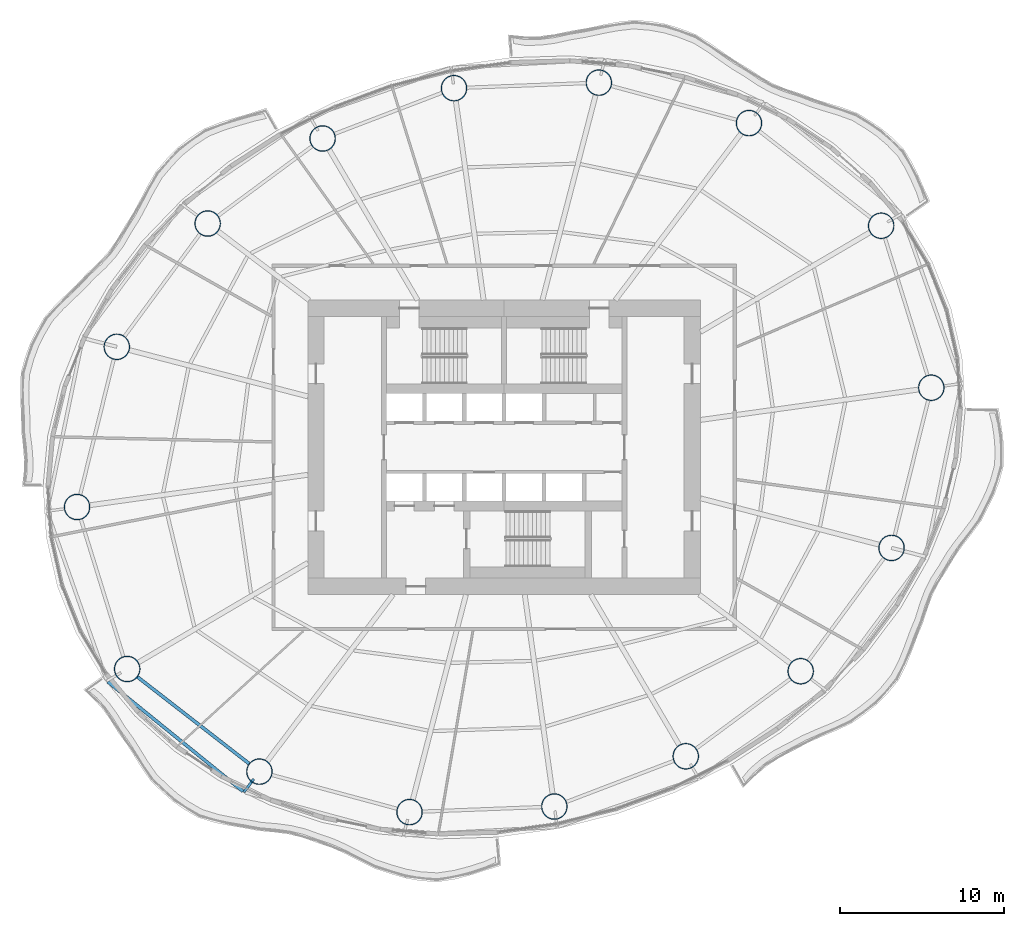
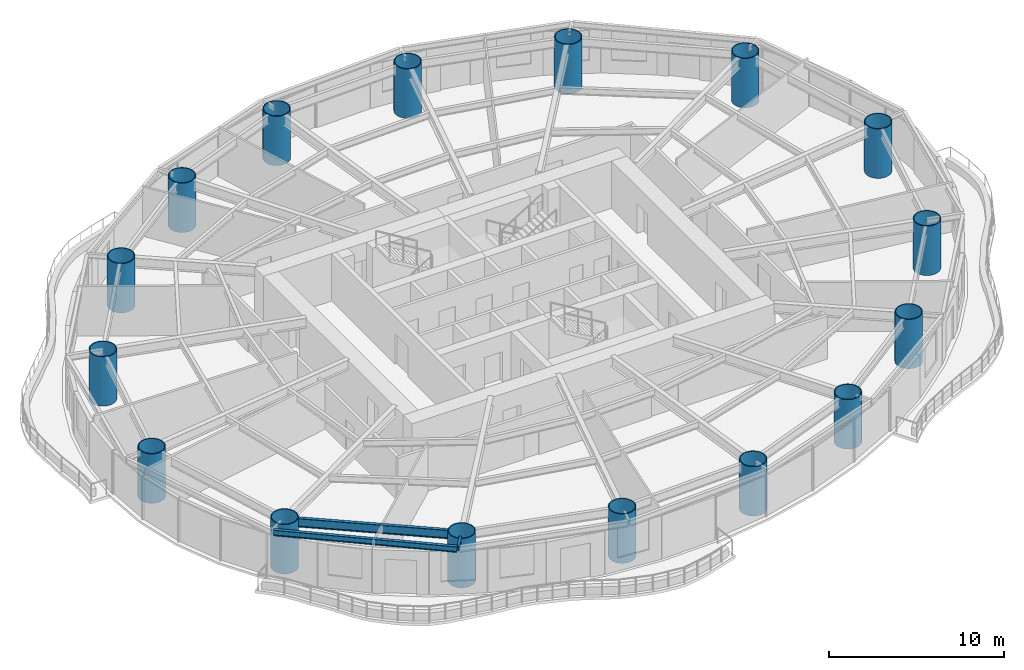
# One storey, part 1 of 16: 16 columns, 3 beams.
"""IFC4 building model written with IfcOpenShell, lengths in metres."""

from ifc_helpers import new_model, si_unit, direction, frame, origin, origin_2d, place, context, subcontext, project, spatial, hollow_circle, i_section, extrude, material, material_profile, profile_set, type_object, element, save


model = new_model("IFC4")

# Units and contexts
model_context = context("Model", 3, precision=1e-05, world=origin(), true_north=direction((0.0, 1.0)))
body_context = subcontext(model_context, "Body", "Model", "MODEL_VIEW")
ifc_project = project(units=[si_unit("LENGTHUNIT", "METRE"), si_unit("AREAUNIT", "SQUARE_METRE"), si_unit("VOLUMEUNIT", "CUBIC_METRE"), si_unit("PLANEANGLEUNIT", "RADIAN"), si_unit("MASSUNIT", "GRAM", prefix="KILO")], contexts=[model_context])

# Site, building, storey
site_placement = place(None, origin())
site = spatial("IfcSite", under=ifc_project, at=site_placement, CompositionType="ELEMENT")
building_placement = place(site_placement, origin())
building = spatial("IfcBuilding", under=site, at=building_placement, Name="Vermilion Reach Broadcast Tower", CompositionType="ELEMENT")
storey_placement = place(building_placement, frame((0.0, 0.0, 103.0)))
storey = spatial("IfcBuildingStorey", under=building, at=storey_placement, Name="L23", CompositionType="ELEMENT", Elevation=103.0)

# Columns
ifc_material_1 = material(Name="Concrete C80 infill in steel S460NL tube", Category="concrete")
ifc_material_profile_1 = material_profile(ifc_material_1, hollow_circle(Radius=0.800048828125, WallThickness=0.054931640625, at=origin_2d()), Name="Concrete C80 infill in steel S460NL tube CFT 1600x55")
ifc_profile_set_1 = profile_set([ifc_material_profile_1], Name="Concrete C80 infill in steel S460NL tube")
column_type = type_object("IfcColumnType", Name="MC2 CFT 1600x55", PredefinedType="COLUMN", material=ifc_profile_set_1)
for number, where, z_axis, x_axis, name in (
    (1, (17.04345703125, 13.546630859375, 0.0), (0.0, 0.0, 1.0), (1.0, 0.0, 0.0), "Mega-column MC2-01"),
    (2, (8.96337890625, 19.821044921875, 0.0), (0.0, 0.0, 1.0), (1.0, 0.0, 0.0), "Mega-column MC2-02"),
    (3, (-0.21337890625, 22.29443359375, 0.0), (0.0, 0.0, 1.0), (1.0, 0.0, 0.0), "Mega-column MC2-03"),
    (4, (-9.066162109375, 21.955810546875, 0.0), (0.0, 0.0, 1.0), (1.0, 0.0, 0.0), "Mega-column MC2-04"),
    (5, (-17.099609375, 18.881103515625, 0.0), (0.0, 0.0, 1.0), (1.0, 0.0, 0.0), "Mega-column MC2-05"),
    (6, (-24.12451171875, 13.6826171875, 0.0), (0.0, 0.0, 1.0), (1.0, 0.0, 0.0), "Mega-column MC2-06"),
    (7, (-29.6787109375, 6.145751953125, 0.0), (0.0, 0.0, 1.0), (1.0, 0.0, 0.0), "Mega-column MC2-07"),
    (8, (-32.10888671875, -3.646240234375, 0.0), (0.0, 0.0, 1.0), (1.0, 0.0, 0.0), "Mega-column MC2-08"),
    (9, (-29.04345703125, -13.546630859375, 0.0), (0.0, 0.0, 1.0), (1.0, 0.0, 0.0), "Mega-column MC2-09"),
    (10, (-20.96337890625, -19.821044921875, 0.0), (0.0, 0.0, 1.0), (1.0, 0.0, 0.0), "Mega-column MC2-10"),
    (11, (-11.78662109375, -22.29443359375, 0.0), (0.0, 0.0, 1.0), (1.0, 0.0, 0.0), "Mega-column MC2-11"),
    (12, (-2.933837890625, -21.955810546875, 0.0), (0.0, 0.0, 1.0), (1.0, 0.0, 0.0), "Mega-column MC2-12"),
    (13, (5.099609375, -18.881103515625, 0.0), (0.0, 0.0, 1.0), (1.0, 0.0, 0.0), "Mega-column MC2-13"),
    (14, (12.12451171875, -13.6826171875, 0.0), (0.0, 0.0, 1.0), (1.0, 0.0, 0.0), "Mega-column MC2-14"),
    (15, (17.6787109375, -6.145751953125, 0.0), (0.0, 0.0, 1.0), (1.0, 0.0, 0.0), "Mega-column MC2-15"),
    (16, (20.10888671875, 3.646240234375, 0.0), (0.0, 0.0, 1.0), (1.0, 0.0, 0.0), "Mega-column MC2-16"),
):
    element("IfcColumn", number, at=place(storey_placement, frame(where, z_axis=z_axis, x_axis=x_axis)), inside=storey, type_object=column_type, Name=name, PredefinedType="COLUMN", context=body_context, shape_type="SweptSolid", body=[
        extrude(hollow_circle(Radius=0.800048828125, WallThickness=0.054931640625, at=origin_2d()), origin(), (0.0, 0.0, 1.0), 3.449951171875),
    ])

# Beams
ifc_material_2 = material(Name="Steel S355J2", Category="steel")
ifc_material_profile_2 = material_profile(ifc_material_2, i_section(OverallWidth=0.199951171875, OverallDepth=0.39990234375, WebThickness=0.008056640625, FlangeThickness=0.012939453125, at=origin_2d()), Name="S355J2 HN 400x200x8x13")
ifc_profile_set_2 = profile_set([ifc_material_profile_2], Name="Steel S355J2")
beam_type_1 = type_object("IfcBeamType", Name="EB2 HN 400x200x8x13", PredefinedType="BEAM", material=ifc_profile_set_2)
beam_1_placement = place(storey_placement, frame((-30.224853515625, -14.328125, 3.25), z_axis=(0.776693812818, -0.629878338356, 0.0), x_axis=(0.629878338356, 0.776693812818, 0.0)))
element("IfcBeam", 17, at=beam_1_placement, inside=storey, type_object=beam_type_1, Name="Edge beam EB2-09", PredefinedType="BEAM", context=body_context, shape_type="SweptSolid", body=[
    extrude(i_section(OverallWidth=0.199951171875, OverallDepth=0.39990234375, WebThickness=0.008056640625, FlangeThickness=0.012939453125, at=origin_2d()), origin(), (0.0, 0.0, 1.0), 10.632568359375),
])
ifc_material_3 = material(Name="Steel S355J2", Category="steel")
ifc_material_profile_3 = material_profile(ifc_material_3, i_section(OverallWidth=0.14990234375, OverallDepth=0.300048828125, WebThickness=0.006591796875, FlangeThickness=0.009033203125, at=origin_2d()), Name="S355J2 HN 300x150x6.5x9")
ifc_profile_set_3 = profile_set([ifc_material_profile_3], Name="Steel S355J2")
beam_type_2 = type_object("IfcBeamType", Name="GS2 HN 300x150x6.5x9", PredefinedType="BEAM", material=ifc_profile_set_3)
beam_2_placement = place(storey_placement, frame((-21.305908203125, -20.274658203125, 3.300048828125), z_axis=(-0.602536027779, -0.798091683473, 0.0), x_axis=(0.798091683473, -0.602536027779, 0.0)))
element("IfcBeam", 18, at=beam_2_placement, inside=storey, type_object=beam_type_2, Name="Cantilever stub GS2-10", PredefinedType="BEAM", context=body_context, shape_type="SweptSolid", body=[
    extrude(i_section(OverallWidth=0.14990234375, OverallDepth=0.300048828125, WebThickness=0.006591796875, FlangeThickness=0.009033203125, at=origin_2d()), origin(), (0.0, 0.0, 1.0), 1.0),
])
ifc_material_4 = material(Name="Steel S355J2", Category="steel")
ifc_material_profile_4 = material_profile(ifc_material_4, i_section(OverallWidth=0.199951171875, OverallDepth=0.60009765625, WebThickness=0.010986328125, FlangeThickness=0.01708984375, at=origin_2d()), Name="S355J2 HN 600x200x11x17")
ifc_profile_set_4 = profile_set([ifc_material_profile_4], Name="Steel S355J2")
beam_type_3 = type_object("IfcBeamType", Name="RB2 HN 600x200x11x17", PredefinedType="BEAM", material=ifc_profile_set_4)
beam_3_placement = place(storey_placement, frame((-28.41162109375, -14.037109375, 3.14990234375), z_axis=(0.789825712432, -0.613331349257, 0.0), x_axis=(0.613331349257, 0.789825712432, 0.0)))
element("IfcBeam", 19, at=beam_3_placement, inside=storey, type_object=beam_type_3, Name="Ring beam RB2-09", PredefinedType="BEAM", context=body_context, shape_type="SweptSolid", body=[
    extrude(i_section(OverallWidth=0.199951171875, OverallDepth=0.60009765625, WebThickness=0.010986328125, FlangeThickness=0.01708984375, at=origin_2d()), origin(), (0.0, 0.0, 1.0), 8.63037109375),
])

save(model, "model.ifc")
